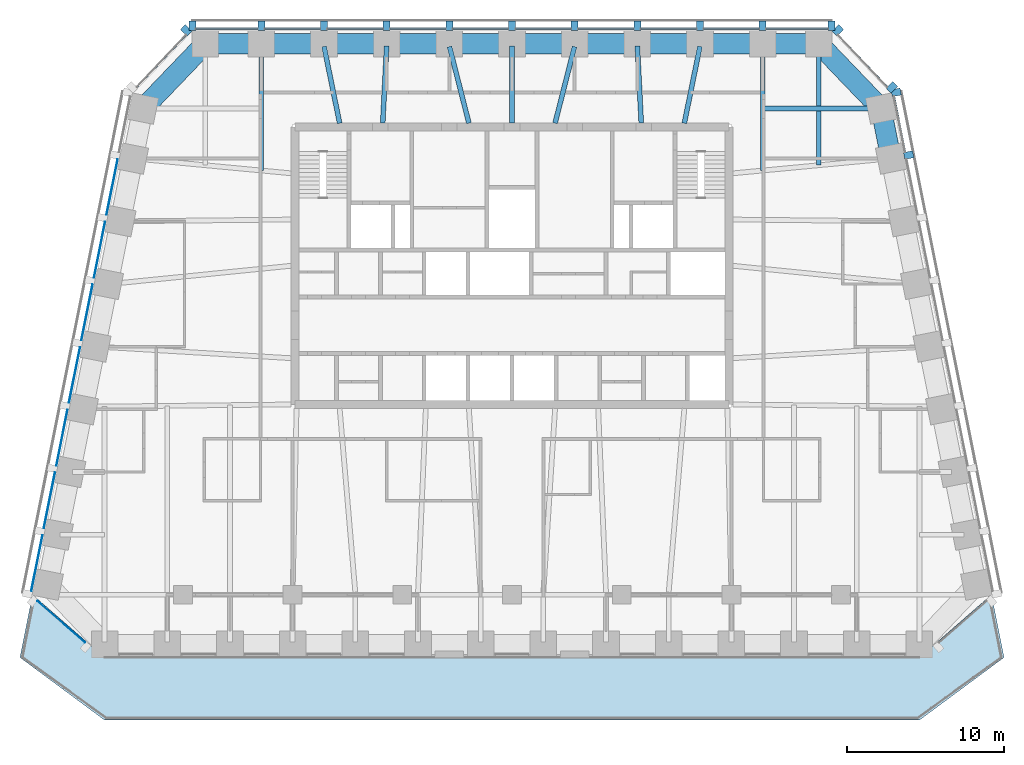
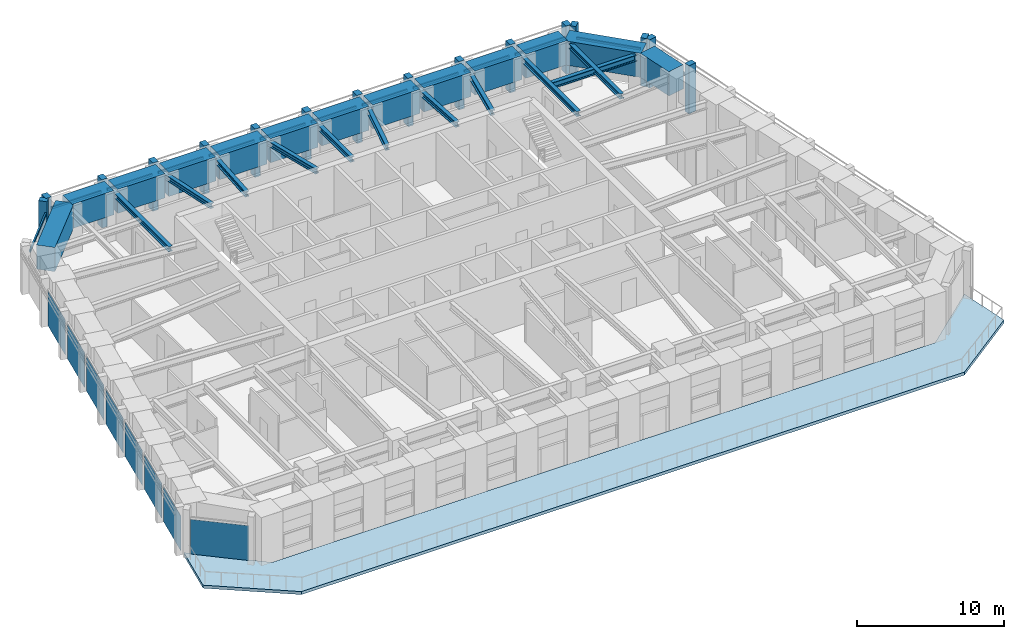
# One storey, part 3 of 11: 29 members, 24 beams, 8 plates, 1 slab, 6 elements without a shape of their own.
"""IFC4 building model written with IfcOpenShell, lengths in metres."""

from ifc_helpers import new_model, si_unit, direction, frame, origin, origin_2d, place, context, subcontext, project, spatial, polyline, rectangle, i_section, outline, extrude, material, layer, layer_set, material_profile, profile_set, type_object, element, aggregate, save


model = new_model("IFC4")

# Units and contexts
model_context = context("Model", 3, precision=1e-05, world=origin(), true_north=direction((0.0, 1.0)))
body_context = subcontext(model_context, "Body", "Model", "MODEL_VIEW")
ifc_project = project(units=[si_unit("LENGTHUNIT", "METRE"), si_unit("AREAUNIT", "SQUARE_METRE"), si_unit("VOLUMEUNIT", "CUBIC_METRE"), si_unit("PLANEANGLEUNIT", "RADIAN"), si_unit("MASSUNIT", "GRAM", prefix="KILO")], contexts=[model_context])

# Site, building, storey
site_placement = place(None, origin())
site = spatial("IfcSite", under=ifc_project, at=site_placement, CompositionType="ELEMENT")
building_placement = place(site_placement, origin())
building = spatial("IfcBuilding", under=site, at=building_placement, Name="Isbrekke Arena Tower", CompositionType="ELEMENT")
storey_placement = place(building_placement, frame((0.0, 0.0, 272.0)))
storey = spatial("IfcBuildingStorey", under=building, at=storey_placement, Name="L63", CompositionType="ELEMENT", Elevation=272.0)

# Beams
ifc_material_1 = material(Name="Steel S355", Category="steel")
ifc_material_profile_1 = material_profile(ifc_material_1, i_section(OverallWidth=0.305908203125, OverallDepth=0.52392578125, WebThickness=0.02099609375, FlangeThickness=0.0400390625, FilletRadius=0.027099609375, at=origin_2d()), Name="HEM 500")
ifc_profile_set_1 = profile_set([ifc_material_profile_1], Name="Steel S355")
beam_type_1 = type_object("IfcBeamType", Name="B5 HEM 500", PredefinedType="BEAM", material=ifc_profile_set_1)
beam_1_placement = place(storey_placement, frame((23.40283203125, 25.029296875, 3.587890625), z_axis=(-1.0, 0.0, 0.0), x_axis=(0.0, -1.0, 0.0)))
element("IfcBeam", 1, at=beam_1_placement, inside=storey, type_object=beam_type_1, Name="B5 beam E-E09 L63", PredefinedType="BEAM", context=body_context, shape_type="SweptSolid", body=[
    extrude(i_section(OverallWidth=0.305908203125, OverallDepth=0.52392578125, WebThickness=0.02099609375, FlangeThickness=0.0400390625, FilletRadius=0.027099609375, at=origin_2d()), origin(), (0.0, 0.0, 1.0), 7.40283203125),
])
ifc_material_2 = material(Name="Steel S355", Category="steel")
ifc_material_profile_2 = material_profile(ifc_material_2, i_section(OverallWidth=0.306884765625, OverallDepth=0.431884765625, WebThickness=0.02099609375, FlangeThickness=0.0400390625, FilletRadius=0.027099609375, at=origin_2d()), Name="HEM 400")
ifc_profile_set_2 = profile_set([ifc_material_profile_2], Name="Steel S355")
beam_type_2 = type_object("IfcBeamType", Name="B6 HEM 400", PredefinedType="BEAM", material=ifc_profile_set_2)
beam_2_placement = place(storey_placement, frame((19.574951171875, 29.02490234375, 3.634033203125), z_axis=(0.0, -1.0, 0.0), x_axis=(1.0, 0.0, 0.0)))
element("IfcBeam", 2, at=beam_2_placement, inside=storey, type_object=beam_type_2, Name="B6 beam N-N01 L63", PredefinedType="BEAM", context=body_context, shape_type="SweptSolid", body=[
    extrude(i_section(OverallWidth=0.306884765625, OverallDepth=0.431884765625, WebThickness=0.02099609375, FlangeThickness=0.0400390625, FilletRadius=0.027099609375, at=origin_2d()), origin(), (0.0, 0.0, 1.0), 7.608154296875),
])
for number, where, z_axis, x_axis, name in (
    (3, (16.0, 29.02490234375, 3.634033203125), (0.0, -1.0, 0.0), (1.0, 0.0, 0.0), "B6 beam N-N02 L63"),
    (4, (-16.0, 29.02490234375, 3.634033203125), (0.0, -1.0, 0.0), (1.0, 0.0, 0.0), "B6 beam N-N10 L63"),
):
    element("IfcBeam", number, at=place(storey_placement, frame(where, z_axis=z_axis, x_axis=x_axis)), inside=storey, type_object=beam_type_2, Name=name, PredefinedType="BEAM", context=body_context, shape_type="SweptSolid", body=[
        extrude(i_section(OverallWidth=0.306884765625, OverallDepth=0.431884765625, WebThickness=0.02099609375, FlangeThickness=0.0400390625, FilletRadius=0.027099609375, at=origin_2d()), origin(), (0.0, 0.0, 1.0), 7.945556640625),
    ])
beam_3_placement = place(storey_placement, frame((11.993896484375, 28.9951171875, 3.634033203125), z_axis=(-0.198982177337, -0.980003108721, 0.0), x_axis=(0.980003108721, -0.198982177337, 0.0)))
element("IfcBeam", 5, at=beam_3_placement, inside=storey, type_object=beam_type_2, Name="B6 beam N-N03 L63", PredefinedType="BEAM", context=body_context, shape_type="SweptSolid", body=[
    extrude(i_section(OverallWidth=0.306884765625, OverallDepth=0.431884765625, WebThickness=0.02099609375, FlangeThickness=0.0400390625, FilletRadius=0.027099609375, at=origin_2d()), origin(), (0.0, 0.0, 1.0), 4.994873046875),
])
beam_4_placement = place(storey_placement, frame((8.00048828125, 29.017333984375, 3.634033203125), z_axis=(0.050677067868, -0.998715091902, 0.0), x_axis=(0.998715091902, 0.050677067868, 0.0)))
element("IfcBeam", 6, at=beam_4_placement, inside=storey, type_object=beam_type_2, Name="B6 beam N-N04 L63", PredefinedType="BEAM", context=body_context, shape_type="SweptSolid", body=[
    extrude(i_section(OverallWidth=0.306884765625, OverallDepth=0.431884765625, WebThickness=0.02099609375, FlangeThickness=0.0400390625, FilletRadius=0.027099609375, at=origin_2d()), origin(), (0.0, 0.0, 1.0), 4.923583984375),
])
beam_5_placement = place(storey_placement, frame((3.99072265625, 28.98828125, 3.634033203125), z_axis=(-0.246019579109, -0.969264858898, 0.0), x_axis=(0.969264858898, -0.246019579109, 0.0)))
element("IfcBeam", 7, at=beam_5_placement, inside=storey, type_object=beam_type_2, Name="B6 beam N-N05 L63", PredefinedType="BEAM", context=body_context, shape_type="SweptSolid", body=[
    extrude(i_section(OverallWidth=0.306884765625, OverallDepth=0.431884765625, WebThickness=0.02099609375, FlangeThickness=0.0400390625, FilletRadius=0.027099609375, at=origin_2d()), origin(), (0.0, 0.0, 1.0), 5.043212890625),
])
beam_6_placement = place(storey_placement, frame((0.0, 29.02490234375, 3.634033203125), z_axis=(0.0, -1.0, 0.0), x_axis=(1.0, 0.0, 0.0)))
element("IfcBeam", 8, at=beam_6_placement, inside=storey, type_object=beam_type_2, Name="B6 beam N-N06 L63", PredefinedType="BEAM", context=body_context, shape_type="SweptSolid", body=[
    extrude(i_section(OverallWidth=0.306884765625, OverallDepth=0.431884765625, WebThickness=0.02099609375, FlangeThickness=0.0400390625, FilletRadius=0.027099609375, at=origin_2d()), origin(), (0.0, 0.0, 1.0), 4.9248046875),
])
beam_7_placement = place(storey_placement, frame((-3.99072265625, 28.98828125, 3.634033203125), z_axis=(0.246019579109, -0.969264858898, 0.0), x_axis=(0.969264858898, 0.246019579109, 0.0)))
element("IfcBeam", 9, at=beam_7_placement, inside=storey, type_object=beam_type_2, Name="B6 beam N-N07 L63", PredefinedType="BEAM", context=body_context, shape_type="SweptSolid", body=[
    extrude(i_section(OverallWidth=0.306884765625, OverallDepth=0.431884765625, WebThickness=0.02099609375, FlangeThickness=0.0400390625, FilletRadius=0.027099609375, at=origin_2d()), origin(), (0.0, 0.0, 1.0), 5.043212890625),
])
beam_8_placement = place(storey_placement, frame((-8.00048828125, 29.017333984375, 3.634033203125), z_axis=(-0.050677067868, -0.998715091902, 0.0), x_axis=(0.998715091902, -0.050677067868, 0.0)))
element("IfcBeam", 10, at=beam_8_placement, inside=storey, type_object=beam_type_2, Name="B6 beam N-N08 L63", PredefinedType="BEAM", context=body_context, shape_type="SweptSolid", body=[
    extrude(i_section(OverallWidth=0.306884765625, OverallDepth=0.431884765625, WebThickness=0.02099609375, FlangeThickness=0.0400390625, FilletRadius=0.027099609375, at=origin_2d()), origin(), (0.0, 0.0, 1.0), 4.923583984375),
])
beam_9_placement = place(storey_placement, frame((-11.993896484375, 28.9951171875, 3.634033203125), z_axis=(0.198982177337, -0.980003108721, 0.0), x_axis=(0.980003108721, 0.198982177337, 0.0)))
element("IfcBeam", 11, at=beam_9_placement, inside=storey, type_object=beam_type_2, Name="B6 beam N-N09 L63", PredefinedType="BEAM", context=body_context, shape_type="SweptSolid", body=[
    extrude(i_section(OverallWidth=0.306884765625, OverallDepth=0.431884765625, WebThickness=0.02099609375, FlangeThickness=0.0400390625, FilletRadius=0.027099609375, at=origin_2d()), origin(), (0.0, 0.0, 1.0), 4.994873046875),
])

# Curtain wall, members
ifc_material_3 = material(Name="Glazed aluminium curtain wall", Category="aluminium")
curtain_wall_type = type_object("IfcCurtainWallType", Name="CWT TOWER CURTAIN WALL TOP ZONE", PredefinedType="USERDEFINED", material=ifc_material_3)
curtain_wall_1_placement = place(storey_placement, origin())
curtain_wall_1 = element("IfcCurtainWall", 12, at=curtain_wall_1_placement, inside=storey, type_object=curtain_wall_type, Name="CWT curtain wall L63-E", ObjectType="TOWER CURTAIN WALL TOP ZONE", PredefinedType="USERDEFINED")
ifc_material_4 = material(Name="Copper-clad aluminium mullion", Category="aluminium")
ifc_material_profile_3 = material_profile(ifc_material_4, rectangle(XDim=0.449951171875, YDim=0.60009765625, at=origin_2d()), Name="PIER 450X600")
ifc_profile_set_3 = profile_set([ifc_material_profile_3], Name="Copper-clad aluminium mullion")
member_type_1 = type_object("IfcMemberType", Name="CWT-M PIER MULLION 450 x 600", PredefinedType="MULLION", material=ifc_profile_set_3)
member_1_placement = place(storey_placement, frame((25.318603515625, 22.063720703125, 0.0), z_axis=(0.0, 0.0, 1.0), x_axis=(-0.196116135138, 0.980580675691, 0.0)))
member_1 = element("IfcMember", 13, at=member_1_placement, type_object=member_type_1, Name="CWT-M mullion 8", PredefinedType="MULLION", context=body_context, shape_type="SweptSolid", body=[
    extrude(rectangle(XDim=0.449951171875, YDim=0.60009765625, at=origin_2d()), origin(), (0.0, 0.0, 1.0), 4.0),
])
member_2_placement = place(storey_placement, frame((24.518798828125, 26.063720703125, 0.0), z_axis=(0.0, 0.0, 1.0), x_axis=(-0.196116135138, 0.980580675691, 0.0)))
member_2 = element("IfcMember", 14, at=member_2_placement, type_object=member_type_1, Name="CWT-M mullion 9", PredefinedType="MULLION", context=body_context, shape_type="SweptSolid", body=[
    extrude(rectangle(XDim=0.449951171875, YDim=0.60009765625, at=origin_2d()), origin(), (0.0, 0.0, 1.0), 4.0),
])

curtain_wall_2_placement = place(storey_placement, origin())
curtain_wall_2 = element("IfcCurtainWall", 15, at=curtain_wall_2_placement, inside=storey, type_object=curtain_wall_type, Name="CWT curtain wall L63-EN", ObjectType="TOWER CURTAIN WALL TOP ZONE", PredefinedType="USERDEFINED")
member_3_placement = place(storey_placement, frame((24.244384765625, 26.388671875, 0.0), z_axis=(0.0, 0.0, 1.0), x_axis=(-0.68874946192, 0.72499943359, 0.0)))
member_3 = element("IfcMember", 16, at=member_3_placement, type_object=member_type_1, Name="CWT-M mullion 1", PredefinedType="MULLION", context=body_context, shape_type="SweptSolid", body=[
    extrude(rectangle(XDim=0.449951171875, YDim=0.60009765625, at=origin_2d()), origin(), (0.0, 0.0, 1.0), 4.0),
])
member_4_placement = place(storey_placement, frame((20.795166015625, 30.019775390625, 0.0), z_axis=(0.0, 0.0, 1.0), x_axis=(-0.68874946192, 0.72499943359, 0.0)))
member_4 = element("IfcMember", 17, at=member_4_placement, type_object=member_type_1, Name="CWT-M mullion 2", PredefinedType="MULLION", context=body_context, shape_type="SweptSolid", body=[
    extrude(rectangle(XDim=0.449951171875, YDim=0.60009765625, at=origin_2d()), origin(), (0.0, 0.0, 1.0), 4.0),
])

curtain_wall_3_placement = place(storey_placement, origin())
curtain_wall_3 = element("IfcCurtainWall", 18, at=curtain_wall_3_placement, inside=storey, type_object=curtain_wall_type, Name="CWT curtain wall L63-N", ObjectType="TOWER CURTAIN WALL TOP ZONE", PredefinedType="USERDEFINED")
member_5_placement = place(storey_placement, frame((20.39990234375, 30.324951171875, 0.0), z_axis=(0.0, 0.0, 1.0), x_axis=(-1.0, 0.0, 0.0)))
member_5 = element("IfcMember", 19, at=member_5_placement, type_object=member_type_1, Name="CWT-M mullion 1", PredefinedType="MULLION", context=body_context, shape_type="SweptSolid", body=[
    extrude(rectangle(XDim=0.449951171875, YDim=0.60009765625, at=origin_2d()), origin(), (0.0, 0.0, 1.0), 4.0),
])
member_6_placement = place(storey_placement, frame((16.0, 30.324951171875, 0.0), z_axis=(0.0, 0.0, 1.0), x_axis=(-1.0, 0.0, 0.0)))
member_6 = element("IfcMember", 20, at=member_6_placement, type_object=member_type_1, Name="CWT-M mullion 2", PredefinedType="MULLION", context=body_context, shape_type="SweptSolid", body=[
    extrude(rectangle(XDim=0.449951171875, YDim=0.60009765625, at=origin_2d()), origin(), (0.0, 0.0, 1.0), 4.0),
])
member_7_placement = place(storey_placement, frame((12.0, 30.324951171875, 0.0), z_axis=(0.0, 0.0, 1.0), x_axis=(-1.0, 0.0, 0.0)))
member_7 = element("IfcMember", 21, at=member_7_placement, type_object=member_type_1, Name="CWT-M mullion 3", PredefinedType="MULLION", context=body_context, shape_type="SweptSolid", body=[
    extrude(rectangle(XDim=0.449951171875, YDim=0.60009765625, at=origin_2d()), origin(), (0.0, 0.0, 1.0), 4.0),
])
member_8_placement = place(storey_placement, frame((8.0, 30.324951171875, 0.0), z_axis=(0.0, 0.0, 1.0), x_axis=(-1.0, 0.0, 0.0)))
member_8 = element("IfcMember", 22, at=member_8_placement, type_object=member_type_1, Name="CWT-M mullion 4", PredefinedType="MULLION", context=body_context, shape_type="SweptSolid", body=[
    extrude(rectangle(XDim=0.449951171875, YDim=0.60009765625, at=origin_2d()), origin(), (0.0, 0.0, 1.0), 4.0),
])
member_9_placement = place(storey_placement, frame((4.0, 30.324951171875, 0.0), z_axis=(0.0, 0.0, 1.0), x_axis=(-1.0, 0.0, 0.0)))
member_9 = element("IfcMember", 23, at=member_9_placement, type_object=member_type_1, Name="CWT-M mullion 5", PredefinedType="MULLION", context=body_context, shape_type="SweptSolid", body=[
    extrude(rectangle(XDim=0.449951171875, YDim=0.60009765625, at=origin_2d()), origin(), (0.0, 0.0, 1.0), 4.0),
])
member_10_placement = place(storey_placement, frame((0.0, 30.324951171875, 0.0), z_axis=(0.0, 0.0, 1.0), x_axis=(-1.0, 0.0, 0.0)))
member_10 = element("IfcMember", 24, at=member_10_placement, type_object=member_type_1, Name="CWT-M mullion 6", PredefinedType="MULLION", context=body_context, shape_type="SweptSolid", body=[
    extrude(rectangle(XDim=0.449951171875, YDim=0.60009765625, at=origin_2d()), origin(), (0.0, 0.0, 1.0), 4.0),
])
member_11_placement = place(storey_placement, frame((-4.0, 30.324951171875, 0.0), z_axis=(0.0, 0.0, 1.0), x_axis=(-1.0, 0.0, 0.0)))
member_11 = element("IfcMember", 25, at=member_11_placement, type_object=member_type_1, Name="CWT-M mullion 7", PredefinedType="MULLION", context=body_context, shape_type="SweptSolid", body=[
    extrude(rectangle(XDim=0.449951171875, YDim=0.60009765625, at=origin_2d()), origin(), (0.0, 0.0, 1.0), 4.0),
])
member_12_placement = place(storey_placement, frame((-8.0, 30.324951171875, 0.0), z_axis=(0.0, 0.0, 1.0), x_axis=(-1.0, 0.0, 0.0)))
member_12 = element("IfcMember", 26, at=member_12_placement, type_object=member_type_1, Name="CWT-M mullion 8", PredefinedType="MULLION", context=body_context, shape_type="SweptSolid", body=[
    extrude(rectangle(XDim=0.449951171875, YDim=0.60009765625, at=origin_2d()), origin(), (0.0, 0.0, 1.0), 4.0),
])
member_13_placement = place(storey_placement, frame((-12.0, 30.324951171875, 0.0), z_axis=(0.0, 0.0, 1.0), x_axis=(-1.0, 0.0, 0.0)))
member_13 = element("IfcMember", 27, at=member_13_placement, type_object=member_type_1, Name="CWT-M mullion 9", PredefinedType="MULLION", context=body_context, shape_type="SweptSolid", body=[
    extrude(rectangle(XDim=0.449951171875, YDim=0.60009765625, at=origin_2d()), origin(), (0.0, 0.0, 1.0), 4.0),
])
member_14_placement = place(storey_placement, frame((-16.0, 30.324951171875, 0.0), z_axis=(0.0, 0.0, 1.0), x_axis=(-1.0, 0.0, 0.0)))
member_14 = element("IfcMember", 28, at=member_14_placement, type_object=member_type_1, Name="CWT-M mullion 10", PredefinedType="MULLION", context=body_context, shape_type="SweptSolid", body=[
    extrude(rectangle(XDim=0.449951171875, YDim=0.60009765625, at=origin_2d()), origin(), (0.0, 0.0, 1.0), 4.0),
])
member_15_placement = place(storey_placement, frame((-20.39990234375, 30.324951171875, 0.0), z_axis=(0.0, 0.0, 1.0), x_axis=(-1.0, 0.0, 0.0)))
member_15 = element("IfcMember", 29, at=member_15_placement, type_object=member_type_1, Name="CWT-M mullion 11", PredefinedType="MULLION", context=body_context, shape_type="SweptSolid", body=[
    extrude(rectangle(XDim=0.449951171875, YDim=0.60009765625, at=origin_2d()), origin(), (0.0, 0.0, 1.0), 4.0),
])

# Curtain wall, member
curtain_wall_4_placement = place(storey_placement, origin())
curtain_wall_4 = element("IfcCurtainWall", 30, at=curtain_wall_4_placement, inside=storey, type_object=curtain_wall_type, Name="CWT curtain wall L63-NW", ObjectType="TOWER CURTAIN WALL TOP ZONE", PredefinedType="USERDEFINED")
member_16_placement = place(storey_placement, frame((-20.795166015625, 30.01953125, 0.0), z_axis=(0.0, 0.0, 1.0), x_axis=(-0.68874946192, -0.72499943359, 0.0)))
member_16 = element("IfcMember", 31, at=member_16_placement, type_object=member_type_1, Name="CWT-M mullion 1", PredefinedType="MULLION", context=body_context, shape_type="SweptSolid", body=[
    extrude(rectangle(XDim=0.449951171875, YDim=0.60009765625, at=origin_2d()), origin(), (0.0, 0.0, 1.0), 4.0),
])

# Member
ifc_material_5 = material(Name="Aluminium transom", Category="aluminium")
ifc_material_profile_4 = material_profile(ifc_material_5, rectangle(XDim=0.1201171875, YDim=0.199951171875, at=origin_2d()), Name="TRANSOM 120X200")
ifc_profile_set_4 = profile_set([ifc_material_profile_4], Name="Aluminium transom")
member_type_2 = type_object("IfcMemberType", Name="CWT-T TRANSOM 120 x 200", PredefinedType="USERDEFINED", material=ifc_profile_set_4)
member_17_placement = place(storey_placement, frame((25.078369140625, 22.2451171875, 3.0), z_axis=(-0.196090262229, 0.980585849918, 0.0), x_axis=(-0.980585849918, -0.196090262229, 0.0)))
member_17 = element("IfcMember", 32, at=member_17_placement, type_object=member_type_2, Name="CWT-T transom 8", ObjectType="TRANSOM", PredefinedType="USERDEFINED", context=body_context, shape_type="SweptSolid", body=[
    extrude(rectangle(XDim=0.1201171875, YDim=0.199951171875, at=origin_2d()), origin(), (0.0, 0.0, 1.0), 3.62939453125),
])

aggregate(curtain_wall_1, [member_1, member_2, member_17])

member_18_placement = place(storey_placement, frame((23.944580078125, 26.4140625, 3.0), z_axis=(-0.688771983213, 0.724978037696, 0.0), x_axis=(-0.724978037696, -0.688771983213, 0.0)))
member_18 = element("IfcMember", 33, at=member_18_placement, type_object=member_type_2, Name="CWT-T transom 1", ObjectType="TRANSOM", PredefinedType="USERDEFINED", context=body_context, shape_type="SweptSolid", body=[
    extrude(rectangle(XDim=0.1201171875, YDim=0.199951171875, at=origin_2d()), origin(), (0.0, 0.0, 1.0), 4.558349609375),
])

aggregate(curtain_wall_2, [member_3, member_4, member_18])

member_19_placement = place(storey_placement, frame((20.175048828125, 30.125, 3.0), z_axis=(-1.0, 0.0, 0.0), x_axis=(0.0, -1.0, 0.0)))
member_19 = element("IfcMember", 34, at=member_19_placement, type_object=member_type_2, Name="CWT-T transom 1", ObjectType="TRANSOM", PredefinedType="USERDEFINED", context=body_context, shape_type="SweptSolid", body=[
    extrude(rectangle(XDim=0.1201171875, YDim=0.199951171875, at=origin_2d()), origin(), (0.0, 0.0, 1.0), 3.949951171875),
])

member_20_placement = place(storey_placement, frame((15.77490234375, 30.125, 3.0), z_axis=(-1.0, 0.0, 0.0), x_axis=(0.0, -1.0, 0.0)))
member_20 = element("IfcMember", 35, at=member_20_placement, type_object=member_type_2, Name="CWT-T transom 2", ObjectType="TRANSOM", PredefinedType="USERDEFINED", context=body_context, shape_type="SweptSolid", body=[
    extrude(rectangle(XDim=0.1201171875, YDim=0.199951171875, at=origin_2d()), origin(), (0.0, 0.0, 1.0), 3.5498046875),
])

member_21_placement = place(storey_placement, frame((11.77490234375, 30.125, 3.0), z_axis=(-1.0, 0.0, 0.0), x_axis=(0.0, -1.0, 0.0)))
member_21 = element("IfcMember", 36, at=member_21_placement, type_object=member_type_2, Name="CWT-T transom 3", ObjectType="TRANSOM", PredefinedType="USERDEFINED", context=body_context, shape_type="SweptSolid", body=[
    extrude(rectangle(XDim=0.1201171875, YDim=0.199951171875, at=origin_2d()), origin(), (0.0, 0.0, 1.0), 3.5498046875),
])

member_22_placement = place(storey_placement, frame((7.77490234375, 30.125, 3.0), z_axis=(-1.0, 0.0, 0.0), x_axis=(0.0, -1.0, 0.0)))
member_22 = element("IfcMember", 37, at=member_22_placement, type_object=member_type_2, Name="CWT-T transom 4", ObjectType="TRANSOM", PredefinedType="USERDEFINED", context=body_context, shape_type="SweptSolid", body=[
    extrude(rectangle(XDim=0.1201171875, YDim=0.199951171875, at=origin_2d()), origin(), (0.0, 0.0, 1.0), 3.5498046875),
])

member_23_placement = place(storey_placement, frame((3.77490234375, 30.125, 3.0), z_axis=(-1.0, 0.0, 0.0), x_axis=(0.0, -1.0, 0.0)))
member_23 = element("IfcMember", 38, at=member_23_placement, type_object=member_type_2, Name="CWT-T transom 5", ObjectType="TRANSOM", PredefinedType="USERDEFINED", context=body_context, shape_type="SweptSolid", body=[
    extrude(rectangle(XDim=0.1201171875, YDim=0.199951171875, at=origin_2d()), origin(), (0.0, 0.0, 1.0), 3.5498046875),
])

member_24_placement = place(storey_placement, frame((-0.22509765625, 30.125, 3.0), z_axis=(-1.0, 0.0, 0.0), x_axis=(0.0, -1.0, 0.0)))
member_24 = element("IfcMember", 39, at=member_24_placement, type_object=member_type_2, Name="CWT-T transom 6", ObjectType="TRANSOM", PredefinedType="USERDEFINED", context=body_context, shape_type="SweptSolid", body=[
    extrude(rectangle(XDim=0.1201171875, YDim=0.199951171875, at=origin_2d()), origin(), (0.0, 0.0, 1.0), 3.5498046875),
])

member_25_placement = place(storey_placement, frame((-4.22509765625, 30.125, 3.0), z_axis=(-1.0, 0.0, 0.0), x_axis=(0.0, -1.0, 0.0)))
member_25 = element("IfcMember", 40, at=member_25_placement, type_object=member_type_2, Name="CWT-T transom 7", ObjectType="TRANSOM", PredefinedType="USERDEFINED", context=body_context, shape_type="SweptSolid", body=[
    extrude(rectangle(XDim=0.1201171875, YDim=0.199951171875, at=origin_2d()), origin(), (0.0, 0.0, 1.0), 3.5498046875),
])

member_26_placement = place(storey_placement, frame((-8.22509765625, 30.125, 3.0), z_axis=(-1.0, 0.0, 0.0), x_axis=(0.0, -1.0, 0.0)))
member_26 = element("IfcMember", 41, at=member_26_placement, type_object=member_type_2, Name="CWT-T transom 8", ObjectType="TRANSOM", PredefinedType="USERDEFINED", context=body_context, shape_type="SweptSolid", body=[
    extrude(rectangle(XDim=0.1201171875, YDim=0.199951171875, at=origin_2d()), origin(), (0.0, 0.0, 1.0), 3.5498046875),
])

member_27_placement = place(storey_placement, frame((-12.22509765625, 30.125, 3.0), z_axis=(-1.0, 0.0, 0.0), x_axis=(0.0, -1.0, 0.0)))
member_27 = element("IfcMember", 42, at=member_27_placement, type_object=member_type_2, Name="CWT-T transom 9", ObjectType="TRANSOM", PredefinedType="USERDEFINED", context=body_context, shape_type="SweptSolid", body=[
    extrude(rectangle(XDim=0.1201171875, YDim=0.199951171875, at=origin_2d()), origin(), (0.0, 0.0, 1.0), 3.5498046875),
])

member_28_placement = place(storey_placement, frame((-16.22509765625, 30.125, 3.0), z_axis=(-1.0, 0.0, 0.0), x_axis=(0.0, -1.0, 0.0)))
member_28 = element("IfcMember", 43, at=member_28_placement, type_object=member_type_2, Name="CWT-T transom 10", ObjectType="TRANSOM", PredefinedType="USERDEFINED", context=body_context, shape_type="SweptSolid", body=[
    extrude(rectangle(XDim=0.1201171875, YDim=0.199951171875, at=origin_2d()), origin(), (0.0, 0.0, 1.0), 3.949951171875),
])

aggregate(curtain_wall_3, [member_5, member_6, member_7, member_8, member_9, member_10, member_11, member_12, member_13, member_14, member_15, member_19, member_20, member_21, member_22, member_23, member_24, member_25, member_26, member_27, member_28])

member_29_placement = place(storey_placement, frame((-20.80517578125, 29.71875, 3.0), z_axis=(-0.688739606035, -0.725008796552, 0.0), x_axis=(0.725008796552, -0.688739606035, 0.0)))
member_29 = element("IfcMember", 44, at=member_29_placement, type_object=member_type_2, Name="CWT-T transom 1", ObjectType="TRANSOM", PredefinedType="USERDEFINED", context=body_context, shape_type="SweptSolid", body=[
    extrude(rectangle(XDim=0.1201171875, YDim=0.199951171875, at=origin_2d()), origin(), (0.0, 0.0, 1.0), 4.55712890625),
])

aggregate(curtain_wall_4, [member_16, member_29])

# Beams
ifc_material_6 = material(Name="Concrete B55 (C55/67)", Category="concrete")
ifc_material_profile_5 = material_profile(ifc_material_6, rectangle(XDim=1.300048828125, YDim=2.0, at=origin_2d()), Name="RC 1300x2000")
ifc_profile_set_5 = profile_set([ifc_material_profile_5], Name="Concrete B55 (C55/67)")
beam_type_3 = type_object("IfcBeamType", Name="SB4 RC 1300 x 2000", PredefinedType="SPANDREL", material=ifc_profile_set_5)
beam_10_placement = place(storey_placement, frame((24.16162109375, 21.9853515625, 3.0), z_axis=(-0.196116135138, 0.980580675691, 0.0), x_axis=(-0.980580675691, -0.196116135138, 0.0)))
element("IfcBeam", 45, at=beam_10_placement, inside=storey, type_object=beam_type_3, Name="SB4 spandrel E08-E09 L63", PredefinedType="SPANDREL", context=body_context, shape_type="SweptSolid", body=[
    extrude(rectangle(XDim=1.300048828125, YDim=2.0, at=origin_2d()), origin(), (0.0, 0.0, 1.0), 2.9541015625),
])
beam_11_placement = place(storey_placement, frame((23.448974609375, 25.137451171875, 3.0), z_axis=(-0.692339547635, 0.721571861134, 0.0), x_axis=(-0.721571861134, -0.692339547635, 0.0)))
element("IfcBeam", 46, at=beam_11_placement, inside=storey, type_object=beam_type_3, Name="SB4 spandrel E09-N01 L63", PredefinedType="SPANDREL", context=body_context, shape_type="SweptSolid", body=[
    extrude(rectangle(XDim=1.300048828125, YDim=2.0, at=origin_2d()), origin(), (0.0, 0.0, 1.0), 5.4453125),
])
beam_12_placement = place(storey_placement, frame((19.425048828125, 29.175048828125, 3.0), z_axis=(-1.0, 0.0, 0.0), x_axis=(0.0, -1.0, 0.0)))
element("IfcBeam", 47, at=beam_12_placement, inside=storey, type_object=beam_type_3, Name="SB4 spandrel N01-N02 L63", PredefinedType="SPANDREL", context=body_context, shape_type="SweptSolid", body=[
    extrude(rectangle(XDim=1.300048828125, YDim=2.0, at=origin_2d()), origin(), (0.0, 0.0, 1.0), 3.275146484375),
])
for number, where, z_axis, x_axis, name in (
    (48, (15.85009765625, 29.175048828125, 3.0), (-1.0, 0.0, 0.0), (0.0, -1.0, 0.0), "SB4 spandrel N02-N03 L63"),
    (49, (11.85009765625, 29.175048828125, 3.0), (-1.0, 0.0, 0.0), (0.0, -1.0, 0.0), "SB4 spandrel N03-N04 L63"),
    (50, (7.85009765625, 29.175048828125, 3.0), (-1.0, 0.0, 0.0), (0.0, -1.0, 0.0), "SB4 spandrel N04-N05 L63"),
    (51, (3.85009765625, 29.175048828125, 3.0), (-1.0, 0.0, 0.0), (0.0, -1.0, 0.0), "SB4 spandrel N05-N06 L63"),
    (52, (-0.14990234375, 29.175048828125, 3.0), (-1.0, 0.0, 0.0), (0.0, -1.0, 0.0), "SB4 spandrel N06-N07 L63"),
    (53, (-4.14990234375, 29.175048828125, 3.0), (-1.0, 0.0, 0.0), (0.0, -1.0, 0.0), "SB4 spandrel N07-N08 L63"),
    (54, (-8.14990234375, 29.175048828125, 3.0), (-1.0, 0.0, 0.0), (0.0, -1.0, 0.0), "SB4 spandrel N08-N09 L63"),
    (55, (-12.14990234375, 29.175048828125, 3.0), (-1.0, 0.0, 0.0), (0.0, -1.0, 0.0), "SB4 spandrel N09-N10 L63"),
):
    element("IfcBeam", number, at=place(storey_placement, frame(where, z_axis=z_axis, x_axis=x_axis)), inside=storey, type_object=beam_type_3, Name=name, PredefinedType="SPANDREL", context=body_context, shape_type="SweptSolid", body=[
        extrude(rectangle(XDim=1.300048828125, YDim=2.0, at=origin_2d()), origin(), (0.0, 0.0, 1.0), 3.7001953125),
    ])
beam_13_placement = place(storey_placement, frame((-16.14990234375, 29.175048828125, 3.0), z_axis=(-1.0, 0.0, 0.0), x_axis=(0.0, -1.0, 0.0)))
element("IfcBeam", 56, at=beam_13_placement, inside=storey, type_object=beam_type_3, Name="SB4 spandrel N10-N11 L63", PredefinedType="SPANDREL", context=body_context, shape_type="SweptSolid", body=[
    extrude(rectangle(XDim=1.300048828125, YDim=2.0, at=origin_2d()), origin(), (0.0, 0.0, 1.0), 3.275146484375),
])
beam_14_placement = place(storey_placement, frame((-19.678955078125, 29.066650390625, 3.0), z_axis=(-0.692339547635, -0.721571861134, 0.0), x_axis=(0.721571861134, -0.692339547635, 0.0)))
element("IfcBeam", 57, at=beam_14_placement, inside=storey, type_object=beam_type_3, Name="SB4 spandrel N11-W01 L63", PredefinedType="SPANDREL", context=body_context, shape_type="SweptSolid", body=[
    extrude(rectangle(XDim=1.300048828125, YDim=2.0, at=origin_2d()), origin(), (0.0, 0.0, 1.0), 5.4453125),
])

# Curtain wall, plates
curtain_wall_5_placement = place(storey_placement, origin())
curtain_wall_5 = element("IfcCurtainWall", 58, at=curtain_wall_5_placement, inside=storey, type_object=curtain_wall_type, Name="CWT curtain wall L63-W", ObjectType="TOWER CURTAIN WALL TOP ZONE", PredefinedType="USERDEFINED")
ifc_material_7 = material(Name="Triple-glazed clear glass unit", Category="glass")
ifc_layer_1 = layer(ifc_material_7, 0.031982421875)
ifc_layer_set_1 = layer_set([ifc_layer_1], Name="CWT-P VISION PANEL")
plate_type = type_object("IfcPlateType", Name="CWT-P VISION PANEL", PredefinedType="CURTAIN_PANEL", material=ifc_layer_set_1)
plate_1_placement = place(storey_placement, frame((-25.5224609375, 20.0244140625, 0.02001953125), z_axis=(0.0, 0.0, 1.0), x_axis=(-0.196116135138, -0.980580675691, 0.0)))
plate_1 = element("IfcPlate", 59, at=plate_1_placement, type_object=plate_type, Name="CWT-P panel 2", PredefinedType="CURTAIN_PANEL", context=body_context, shape_type="SweptSolid", body=[
    extrude(rectangle(XDim=3.629150390625, YDim=0.031982421875, at=origin_2d()), origin(), (0.0, 0.0, 1.0), 2.8798828125),
])
plate_2_placement = place(storey_placement, frame((-26.322509765625, 16.0244140625, 0.02001953125), z_axis=(0.0, 0.0, 1.0), x_axis=(-0.196116135138, -0.980580675691, 0.0)))
plate_2 = element("IfcPlate", 60, at=plate_2_placement, type_object=plate_type, Name="CWT-P panel 3", PredefinedType="CURTAIN_PANEL", context=body_context, shape_type="SweptSolid", body=[
    extrude(rectangle(XDim=3.629150390625, YDim=0.031982421875, at=origin_2d()), origin(), (0.0, 0.0, 1.0), 2.8798828125),
])
plate_3_placement = place(storey_placement, frame((-27.12255859375, 12.0244140625, 0.02001953125), z_axis=(0.0, 0.0, 1.0), x_axis=(-0.196116135138, -0.980580675691, 0.0)))
plate_3 = element("IfcPlate", 61, at=plate_3_placement, type_object=plate_type, Name="CWT-P panel 4", PredefinedType="CURTAIN_PANEL", context=body_context, shape_type="SweptSolid", body=[
    extrude(rectangle(XDim=3.629150390625, YDim=0.031982421875, at=origin_2d()), origin(), (0.0, 0.0, 1.0), 2.8798828125),
])
plate_4_placement = place(storey_placement, frame((-27.922607421875, 8.0244140625, 0.02001953125), z_axis=(0.0, 0.0, 1.0), x_axis=(-0.196116135138, -0.980580675691, 0.0)))
plate_4 = element("IfcPlate", 62, at=plate_4_placement, type_object=plate_type, Name="CWT-P panel 5", PredefinedType="CURTAIN_PANEL", context=body_context, shape_type="SweptSolid", body=[
    extrude(rectangle(XDim=3.629150390625, YDim=0.031982421875, at=origin_2d()), origin(), (0.0, 0.0, 1.0), 2.8798828125),
])
plate_5_placement = place(storey_placement, frame((-28.72265625, 4.0244140625, 0.02001953125), z_axis=(0.0, 0.0, 1.0), x_axis=(-0.196116135138, -0.980580675691, 0.0)))
plate_5 = element("IfcPlate", 63, at=plate_5_placement, type_object=plate_type, Name="CWT-P panel 6", PredefinedType="CURTAIN_PANEL", context=body_context, shape_type="SweptSolid", body=[
    extrude(rectangle(XDim=3.629150390625, YDim=0.031982421875, at=origin_2d()), origin(), (0.0, 0.0, 1.0), 2.8798828125),
])
plate_6_placement = place(storey_placement, frame((-29.5224609375, 0.0244140625, 0.02001953125), z_axis=(0.0, 0.0, 1.0), x_axis=(-0.196116135138, -0.980580675691, 0.0)))
plate_6 = element("IfcPlate", 64, at=plate_6_placement, type_object=plate_type, Name="CWT-P panel 7", PredefinedType="CURTAIN_PANEL", context=body_context, shape_type="SweptSolid", body=[
    extrude(rectangle(XDim=3.629150390625, YDim=0.031982421875, at=origin_2d()), origin(), (0.0, 0.0, 1.0), 2.8798828125),
])
plate_7_placement = place(storey_placement, frame((-30.322509765625, -3.9755859375, 0.02001953125), z_axis=(0.0, 0.0, 1.0), x_axis=(-0.196116135138, -0.980580675691, 0.0)))
plate_7 = element("IfcPlate", 65, at=plate_7_placement, type_object=plate_type, Name="CWT-P panel 8", PredefinedType="CURTAIN_PANEL", context=body_context, shape_type="SweptSolid", body=[
    extrude(rectangle(XDim=3.629150390625, YDim=0.031982421875, at=origin_2d()), origin(), (0.0, 0.0, 1.0), 2.8798828125),
])
aggregate(curtain_wall_5, [plate_1, plate_2, plate_3, plate_4, plate_5, plate_6, plate_7])

# Curtain wall, plate
curtain_wall_6_placement = place(storey_placement, origin())
curtain_wall_6 = element("IfcCurtainWall", 66, at=curtain_wall_6_placement, inside=storey, type_object=curtain_wall_type, Name="CWT curtain wall L63-WS", ObjectType="TOWER CURTAIN WALL TOP ZONE", PredefinedType="USERDEFINED")
plate_8_placement = place(storey_placement, frame((-28.772216796875, -7.721923828125, 0.02001953125), z_axis=(0.0, 0.0, 1.0), x_axis=(0.754605522159, -0.65617871493, 0.0)))
plate_8 = element("IfcPlate", 67, at=plate_8_placement, type_object=plate_type, Name="CWT-P panel 1", PredefinedType="CURTAIN_PANEL", context=body_context, shape_type="SweptSolid", body=[
    extrude(rectangle(XDim=4.0263671875, YDim=0.031982421875, at=origin_2d()), origin(), (0.0, 0.0, 1.0), 2.8798828125),
])
aggregate(curtain_wall_6, [plate_8])

# Slab
ifc_material_8 = material(Name="Concrete B35 (C35/45)", Category="concrete")
ifc_layer_2 = layer(ifc_material_8, 0.25)
ifc_layer_set_2 = layer_set([ifc_layer_2], Name="TS1 TERRACE SLAB 250")
slab_type = type_object("IfcSlabType", Name="TS1 TERRACE SLAB 250", PredefinedType="FLOOR", material=ifc_layer_set_2)
slab_placement = place(storey_placement, frame((0.0, 0.0, -0.25)))
element("IfcSlab", 68, at=slab_placement, inside=storey, type_object=slab_type, Name="TS1 terrace slab L63", PredefinedType="FLOOR", context=body_context, shape_type="SweptSolid", body=[
    extrude(outline(polyline([(-26.0, -14.0), (26.0, -14.0), (31.39990234375, -10.0), (30.60009765625, -6.0), (26.0, -10.0), (-26.0, -10.0), (-30.60009765625, -6.0), (-31.39990234375, -10.0), (-26.0, -14.0)])), origin(), (0.0, 0.0, 1.0), 0.25),
])

save(model, "model.ifc")
